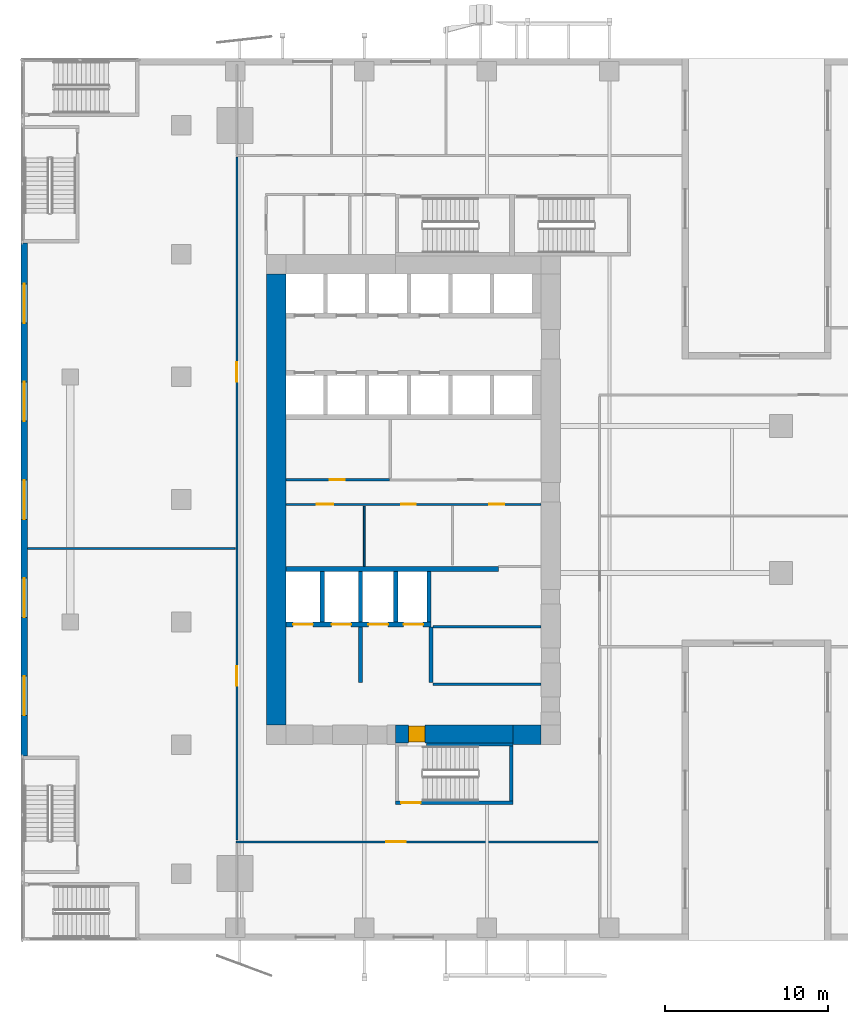
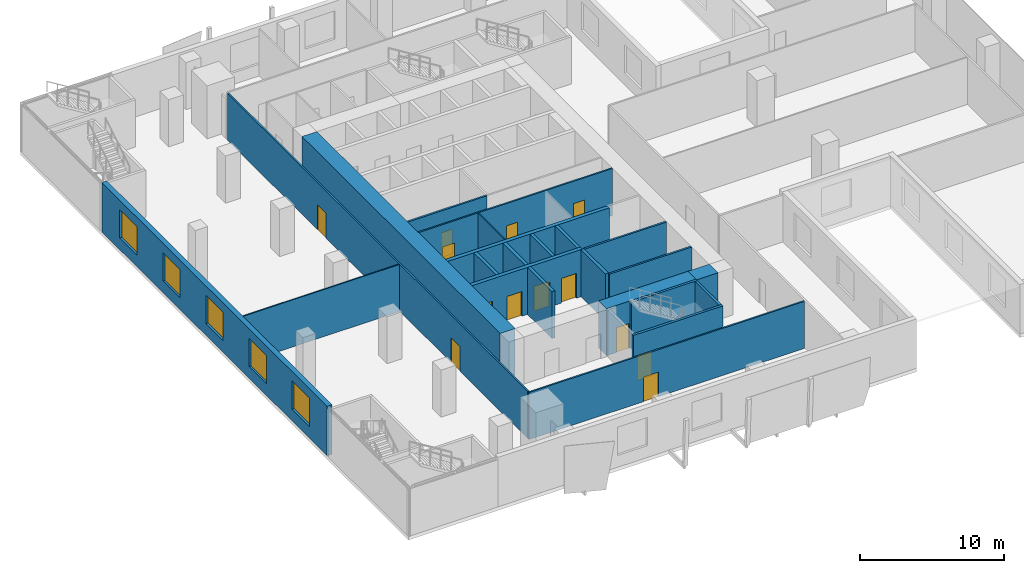
# One storey, part 10 of 21: 23 walls, 13 doors, 5 windows, 18 openings.
"""IFC4 building model written with IfcOpenShell, lengths in metres."""

from ifc_helpers import new_model, si_unit, direction, frame, frame_2d, origin, place, context, subcontext, project, spatial, rectangle, extrude, source, transform, mapped, material, layer, layer_set, type_object, element, fill, save


model = new_model("IFC4")

# Units and contexts
model_context = context("Model", 3, precision=1e-05, world=origin(), true_north=direction((0.0, 1.0)))
body_context = subcontext(model_context, "Body", "Model", "MODEL_VIEW")
ifc_project = project(units=[si_unit("LENGTHUNIT", "METRE"), si_unit("AREAUNIT", "SQUARE_METRE"), si_unit("VOLUMEUNIT", "CUBIC_METRE"), si_unit("PLANEANGLEUNIT", "RADIAN"), si_unit("MASSUNIT", "GRAM", prefix="KILO")], contexts=[model_context])

# Site, building, storey
site_placement = place(None, origin())
site = spatial("IfcSite", under=ifc_project, at=site_placement, CompositionType="ELEMENT")
building_placement = place(site_placement, origin())
building = spatial("IfcBuilding", under=site, at=building_placement, Name="Khomas Fold Tower", CompositionType="ELEMENT")
storey_placement = place(building_placement, frame((0.0, 0.0, 28.5)))
storey = spatial("IfcBuildingStorey", under=building, at=storey_placement, Name="L05", CompositionType="ELEMENT", Elevation=28.5)

# Wall, opening, door
ifc_material_1 = material(Name="Concrete C70/85", Category="concrete")
ifc_layer_1 = layer(ifc_material_1, 1.10009765625)
ifc_layer_set_1 = layer_set([ifc_layer_1], Name="Concrete C70/85")
wall_type_1 = type_object("IfcWallType", Name="Core wall 1100", PredefinedType="SHEAR", material=ifc_layer_set_1)
shared_shape_1 = source(origin(), body_context, "Body", "SweptSolid", [
    extrude(rectangle(XDim=7.2001953125, YDim=1.10009765625, at=frame_2d((3.60009765625, 0.0))), origin(), (0.0, 0.0, 1.0), 4.0),
])
wall_1_placement = place(storey_placement, frame((13.89990234375, 12.64990234375, 0.0), z_axis=(0.0, 0.0, 1.0), x_axis=(1.0, 0.0, 0.0)))
wall_1 = element("IfcWall", 1, at=wall_1_placement, inside=storey, type_object=wall_type_1, Name="Core wall CW-L-S-B2-1", PredefinedType="SHEAR", context=body_context, shape_type="MappedRepresentation", body=[
    mapped(shared_shape_1, transform((0.0, 0.0, 0.0))),
])
shared_shape_2 = source(origin(), body_context, "Body", "SweptSolid", [
    extrude(rectangle(XDim=1.0, YDim=2.10009765625, at=frame_2d((0.5, 1.050048828125))), frame((0.0, 0.56005859375, 0.0), z_axis=(0.0, -1.0, 0.0), x_axis=(1.0, 0.0, 0.0)), (0.0, 0.0, 1.0), 1.1201171875),
])
opening_1_placement = place(wall_1_placement, frame((0.800048828125, 0.0, 0.0)))
opening_1 = element("IfcOpeningElement", 2, at=opening_1_placement, cuts=wall_1, Name="Opening 0010", PredefinedType="OPENING", context=body_context, shape_type="MappedRepresentation", body=[
    mapped(shared_shape_2, transform((0.0, 0.0, 0.0))),
])
ifc_material_2 = material(Name="Steel door leaf", Category="steel")
door_type_1 = type_object("IfcDoorType", Name="Stair door 1000x2100 right-hand", OperationType="SINGLE_SWING_RIGHT", PredefinedType="DOOR", material=ifc_material_2)
shared_shape_3 = source(origin(), body_context, "Body", "SweptSolid", [
    extrude(rectangle(XDim=1.0, YDim=2.10009765625, at=frame_2d((0.5, 1.050048828125))), frame((0.0, 0.5, 0.0), z_axis=(0.0, -1.0, 0.0), x_axis=(1.0, 0.0, 0.0)), (0.0, 0.0, 1.0), 1.0),
])
door_1_placement = place(opening_1_placement, origin())
door_1 = element("IfcDoor", 3, at=door_1_placement, inside=storey, type_object=door_type_1, Name="Stair door", OperationType="SINGLE_SWING_RIGHT", OverallHeight=2.10009765625, OverallWidth=1.0, PredefinedType="DOOR", context=body_context, shape_type="MappedRepresentation", body=[
    mapped(shared_shape_3, transform((0.0, 0.0, 0.0))),
])
fill(opening_1, door_1)

# Walls
ifc_material_3 = material(Name="Concrete C70/85", Category="concrete")
ifc_layer_2 = layer(ifc_material_3, 1.199951171875)
ifc_layer_set_2 = layer_set([ifc_layer_2], Name="Concrete C70/85")
wall_type_2 = type_object("IfcWallType", Name="Core wall 1200", PredefinedType="SHEAR", material=ifc_layer_set_2)
shared_shape_4 = source(origin(), body_context, "Body", "SweptSolid", [
    extrude(rectangle(XDim=1.699951171875, YDim=1.199951171875, at=frame_2d((0.85009765625, 0.0))), origin(), (0.0, 0.0, 1.0), 4.0),
])
wall_2_placement = place(storey_placement, frame((21.10009765625, 12.60009765625, 0.0), z_axis=(0.0, 0.0, 1.0), x_axis=(1.0, 0.0, 0.0)))
element("IfcWall", 4, at=wall_2_placement, inside=storey, type_object=wall_type_2, Name="Core wall CW-L-S-B2-2", PredefinedType="SHEAR", context=body_context, shape_type="MappedRepresentation", body=[
    mapped(shared_shape_4, transform((0.0, 0.0, 0.0))),
])
shared_shape_5 = source(origin(), body_context, "Body", "SweptSolid", [
    extrude(rectangle(XDim=27.60009765625, YDim=1.199951171875, at=frame_2d((13.800048828125, 0.0))), origin(), (0.0, 0.0, 1.0), 4.0),
])
wall_3_placement = place(storey_placement, frame((6.60009765625, 13.199951171875, 0.0), z_axis=(0.0, 0.0, 1.0), x_axis=(0.0, 1.0, 0.0)))
element("IfcWall", 5, at=wall_3_placement, inside=storey, type_object=wall_type_2, Name="Core wall CW-L-W-B2", PredefinedType="SHEAR", context=body_context, shape_type="MappedRepresentation", body=[
    mapped(shared_shape_5, transform((0.0, 0.0, 0.0))),
])
ifc_material_4 = material(Name="Concrete C50/60", Category="concrete")
ifc_layer_3 = layer(ifc_material_4, 0.199951171875)
ifc_layer_set_3 = layer_set([ifc_layer_3], Name="Concrete C50/60")
wall_type_3 = type_object("IfcWallType", Name="Stair wall 200", PredefinedType="SHEAR", material=ifc_layer_set_3)
shared_shape_6 = source(origin(), body_context, "Body", "SweptSolid", [
    extrude(rectangle(XDim=5.300048828125, YDim=0.199951171875, at=frame_2d((2.64990234375, 0.0))), origin(), (0.0, 0.0, 1.0), 4.0),
])
wall_4_placement = place(storey_placement, frame((15.800048828125, 12.0, 0.0), z_axis=(0.0, 0.0, 1.0), x_axis=(1.0, 0.0, 0.0)))
element("IfcWall", 6, at=wall_4_placement, inside=storey, type_object=wall_type_3, Name="Stair wall SW-ST2-NB", PredefinedType="SHEAR", context=body_context, shape_type="MappedRepresentation", body=[
    mapped(shared_shape_6, transform((0.0, 0.0, 0.0))),
])

# Wall, opening, door
shared_shape_7 = source(origin(), body_context, "Body", "SweptSolid", [
    extrude(rectangle(XDim=7.2001953125, YDim=0.199951171875, at=frame_2d((3.60009765625, 0.0))), origin(), (0.0, 0.0, 1.0), 4.0),
])
wall_5_placement = place(storey_placement, frame((13.89990234375, 8.449951171875, 0.0), z_axis=(0.0, 0.0, 1.0), x_axis=(1.0, 0.0, 0.0)))
wall_5 = element("IfcWall", 7, at=wall_5_placement, inside=storey, type_object=wall_type_3, Name="Stair wall SW-ST2-S", PredefinedType="SHEAR", context=body_context, shape_type="MappedRepresentation", body=[
    mapped(shared_shape_7, transform((0.0, 0.0, 0.0))),
])
shared_shape_8 = source(origin(), body_context, "Body", "SweptSolid", [
    extrude(rectangle(XDim=1.199951171875, YDim=2.10009765625, at=frame_2d((0.60009765625, 1.050048828125))), frame((0.0, 0.10986328125, 0.0), z_axis=(0.0, -1.0, 0.0), x_axis=(1.0, 0.0, 0.0)), (0.0, 0.0, 1.0), 0.219970703125),
])
opening_2_placement = place(wall_5_placement, frame((0.35009765625, 0.0, 0.0)))
opening_2 = element("IfcOpeningElement", 8, at=opening_2_placement, cuts=wall_5, Name="Opening SD-ST2", PredefinedType="OPENING", context=body_context, shape_type="MappedRepresentation", body=[
    mapped(shared_shape_8, transform((0.0, 0.0, 0.0))),
])
ifc_material_5 = material(Name="Steel door leaf", Category="steel")
door_type_2 = type_object("IfcDoorType", Name="Stair door 1200x2100 right-hand", OperationType="SINGLE_SWING_RIGHT", PredefinedType="DOOR", material=ifc_material_5)
shared_shape_9 = source(origin(), body_context, "Body", "SweptSolid", [
    extrude(rectangle(XDim=1.199951171875, YDim=2.10009765625, at=frame_2d((0.60009765625, 1.050048828125))), frame((0.0, 0.02490234375, 0.0), z_axis=(0.0, -1.0, 0.0), x_axis=(1.0, 0.0, 0.0)), (0.0, 0.0, 1.0), 0.050048828125),
])
door_2_placement = place(opening_2_placement, origin())
door_2 = element("IfcDoor", 9, at=door_2_placement, inside=storey, type_object=door_type_2, Name="Stair door", OperationType="SINGLE_SWING_RIGHT", OverallHeight=2.10009765625, OverallWidth=1.199951171875, PredefinedType="DOOR", context=body_context, shape_type="MappedRepresentation", body=[
    mapped(shared_shape_9, transform((0.0, 0.0, 0.0))),
])
fill(opening_2, door_2)

# Walls
shared_shape_10 = source(origin(), body_context, "Body", "SweptSolid", [
    extrude(rectangle(XDim=3.349853515625, YDim=0.199951171875, at=frame_2d((1.6748046875, 0.0))), origin(), (0.0, 0.0, 1.0), 4.0),
])
wall_6_placement = place(storey_placement, frame((21.0, 8.550048828125, 0.0), z_axis=(0.0, 0.0, 1.0), x_axis=(0.0, 1.0, 0.0)))
element("IfcWall", 10, at=wall_6_placement, inside=storey, type_object=wall_type_3, Name="Stair wall SW-ST2-E", PredefinedType="SHEAR", context=body_context, shape_type="MappedRepresentation", body=[
    mapped(shared_shape_10, transform((0.0, 0.0, 0.0))),
])
ifc_material_6 = material(Name="Concrete C50/60", Category="concrete")
ifc_layer_4 = layer(ifc_material_6, 0.300048828125)
ifc_layer_set_4 = layer_set([ifc_layer_4], Name="Concrete C50/60")
wall_type_4 = type_object("IfcWallType", Name="Shaft wall 300", PredefinedType="STANDARD", material=ifc_layer_set_4)
shared_shape_11 = source(origin(), body_context, "Body", "SweptSolid", [
    extrude(rectangle(XDim=13.0, YDim=0.300048828125, at=frame_2d((6.5, 0.0))), origin(), (0.0, 0.0, 1.0), 4.0),
])
wall_7_placement = place(storey_placement, frame((7.199951171875, 22.75, 0.0), z_axis=(0.0, 0.0, 1.0), x_axis=(1.0, 0.0, 0.0)))
element("IfcWall", 11, at=wall_7_placement, inside=storey, type_object=wall_type_4, Name="Core wall SW-FS-B", PredefinedType="STANDARD", context=body_context, shape_type="MappedRepresentation", body=[
    mapped(shared_shape_11, transform((0.0, 0.0, 0.0))),
])

# Wall, openings, doors
shared_shape_12 = source(origin(), body_context, "Body", "SweptSolid", [
    extrude(rectangle(XDim=8.875, YDim=0.300048828125, at=frame_2d((4.4375, 0.0))), origin(), (0.0, 0.0, 1.0), 4.0),
])
wall_8_placement = place(storey_placement, frame((7.199951171875, 19.35009765625, 0.0), z_axis=(0.0, 0.0, 1.0), x_axis=(1.0, 0.0, 0.0)))
wall_8 = element("IfcWall", 12, at=wall_8_placement, inside=storey, type_object=wall_type_4, Name="Core wall SW-FS-F", PredefinedType="STANDARD", context=body_context, shape_type="MappedRepresentation", body=[
    mapped(shared_shape_12, transform((0.0, 0.0, 0.0))),
])
shared_shape_13 = source(origin(), body_context, "Body", "SweptSolid", [
    extrude(rectangle(XDim=1.199951171875, YDim=2.10009765625, at=frame_2d((0.60009765625, 1.050048828125))), frame((0.0, 0.159912109375, 0.0), z_axis=(0.0, -1.0, 0.0), x_axis=(1.0, 0.0, 0.0)), (0.0, 0.0, 1.0), 0.320068359375),
])
opening_3_placement = place(wall_8_placement, frame((0.449951171875, 0.0, 0.0)))
opening_3 = element("IfcOpeningElement", 13, at=opening_3_placement, cuts=wall_8, Name="Opening LD-SV1", PredefinedType="OPENING", context=body_context, shape_type="MappedRepresentation", body=[
    mapped(shared_shape_13, transform((0.0, 0.0, 0.0))),
])
opening_4_placement = place(wall_8_placement, frame((2.800048828125, 0.0, 0.0)))
opening_4 = element("IfcOpeningElement", 14, at=opening_4_placement, cuts=wall_8, Name="Opening LD-SV2", PredefinedType="OPENING", context=body_context, shape_type="MappedRepresentation", body=[
    mapped(shared_shape_13, transform((0.0, 0.0, 0.0))),
])
opening_5_placement = place(wall_8_placement, frame((5.050048828125, 0.0, 0.0)))
opening_5 = element("IfcOpeningElement", 15, at=opening_5_placement, cuts=wall_8, Name="Opening LD-FF1", PredefinedType="OPENING", context=body_context, shape_type="MappedRepresentation", body=[
    mapped(shared_shape_13, transform((0.0, 0.0, 0.0))),
])
opening_6_placement = place(wall_8_placement, frame((7.199951171875, 0.0, 0.0)))
opening_6 = element("IfcOpeningElement", 16, at=opening_6_placement, cuts=wall_8, Name="Opening LD-FF2", PredefinedType="OPENING", context=body_context, shape_type="MappedRepresentation", body=[
    mapped(shared_shape_13, transform((0.0, 0.0, 0.0))),
])
ifc_material_7 = material(Name="Steel door leaf", Category="steel")
door_type_3 = type_object("IfcDoorType", Name="Landing door 1200x2100", OperationType="DOUBLE_DOOR_SLIDING", PredefinedType="DOOR", material=ifc_material_7)
door_3_placement = place(opening_3_placement, origin())
door_3 = element("IfcDoor", 17, at=door_3_placement, inside=storey, type_object=door_type_3, Name="Lift landing door", OperationType="DOUBLE_DOOR_SLIDING", OverallHeight=2.10009765625, OverallWidth=1.199951171875, PredefinedType="DOOR", context=body_context, shape_type="MappedRepresentation", body=[
    mapped(shared_shape_9, transform((0.0, 0.0, 0.0))),
])
fill(opening_3, door_3)
door_4_placement = place(opening_4_placement, origin())
door_4 = element("IfcDoor", 18, at=door_4_placement, inside=storey, type_object=door_type_3, Name="Lift landing door", OperationType="DOUBLE_DOOR_SLIDING", OverallHeight=2.10009765625, OverallWidth=1.199951171875, PredefinedType="DOOR", context=body_context, shape_type="MappedRepresentation", body=[
    mapped(shared_shape_9, transform((0.0, 0.0, 0.0))),
])
fill(opening_4, door_4)
door_5_placement = place(opening_5_placement, origin())
door_5 = element("IfcDoor", 19, at=door_5_placement, inside=storey, type_object=door_type_3, Name="Lift landing door", OperationType="DOUBLE_DOOR_SLIDING", OverallHeight=2.10009765625, OverallWidth=1.199951171875, PredefinedType="DOOR", context=body_context, shape_type="MappedRepresentation", body=[
    mapped(shared_shape_9, transform((0.0, 0.0, 0.0))),
])
fill(opening_5, door_5)
door_6_placement = place(opening_6_placement, origin())
door_6 = element("IfcDoor", 20, at=door_6_placement, inside=storey, type_object=door_type_3, Name="Lift landing door", OperationType="DOUBLE_DOOR_SLIDING", OverallHeight=2.10009765625, OverallWidth=1.199951171875, PredefinedType="DOOR", context=body_context, shape_type="MappedRepresentation", body=[
    mapped(shared_shape_9, transform((0.0, 0.0, 0.0))),
])
fill(opening_6, door_6)

# Walls
ifc_material_8 = material(Name="Concrete C50/60", Category="concrete")
ifc_layer_5 = layer(ifc_material_8, 0.25)
ifc_layer_set_5 = layer_set([ifc_layer_5], Name="Concrete C50/60")
wall_type_5 = type_object("IfcWallType", Name="Shaft wall 250", PredefinedType="STANDARD", material=ifc_layer_set_5)
shared_shape_14 = source(origin(), body_context, "Body", "SweptSolid", [
    extrude(rectangle(XDim=3.10009765625, YDim=0.25, at=frame_2d((1.550048828125, 0.0))), origin(), (0.0, 0.0, 1.0), 4.0),
])
for number, where, z_axis, x_axis, name in (
    (21, (9.425048828125, 19.5, 0.0), (0.0, 0.0, 1.0), (0.0, 1.0, 0.0), "Core wall SW-FS-P1"),
    (22, (11.77490234375, 19.5, 0.0), (0.0, 0.0, 1.0), (0.0, 1.0, 0.0), "Core wall SW-FS-P2"),
    (23, (13.925048828125, 19.5, 0.0), (0.0, 0.0, 1.0), (0.0, 1.0, 0.0), "Core wall SW-FS-P3"),
    (24, (15.949951171875, 19.5, 0.0), (0.0, 0.0, 1.0), (0.0, 1.0, 0.0), "Core wall SW-FS-PE"),
):
    element("IfcWall", number, at=place(storey_placement, frame(where, z_axis=z_axis, x_axis=x_axis)), inside=storey, type_object=wall_type_5, Name=name, PredefinedType="STANDARD", context=body_context, shape_type="MappedRepresentation", body=[
        mapped(shared_shape_14, transform((0.0, 0.0, 0.0))),
    ])
ifc_material_9 = material(Name="Concrete C50/60", Category="concrete")
ifc_layer_6 = layer(ifc_material_9, 0.25)
ifc_layer_set_6 = layer_set([ifc_layer_6], Name="Concrete C50/60")
wall_type_6 = type_object("IfcWallType", Name="Lobby wall 250", PredefinedType="STANDARD", material=ifc_layer_set_6)
shared_shape_15 = source(origin(), body_context, "Body", "SweptSolid", [
    extrude(rectangle(XDim=3.39990234375, YDim=0.25, at=frame_2d((1.699951171875, 0.0))), origin(), (0.0, 0.0, 1.0), 4.0),
])
for number, where, z_axis, x_axis, name in (
    (25, (16.074951171875, 15.800048828125, 0.0), (0.0, 0.0, 1.0), (0.0, 1.0, 0.0), "Core wall SW-FS-LOB-E"),
    (26, (11.77490234375, 15.800048828125, 0.0), (0.0, 0.0, 1.0), (0.0, 1.0, 0.0), "Core wall SW-FS-SEP"),
):
    element("IfcWall", number, at=place(storey_placement, frame(where, z_axis=z_axis, x_axis=x_axis)), inside=storey, type_object=wall_type_6, Name=name, PredefinedType="STANDARD", context=body_context, shape_type="MappedRepresentation", body=[
        mapped(shared_shape_15, transform((0.0, 0.0, 0.0))),
    ])

# Wall, openings, windows
ifc_material_10 = material(Name="Concrete C40/50", Category="concrete")
ifc_layer_7 = layer(ifc_material_10, 0.39990234375)
ifc_layer_set_7 = layer_set([ifc_layer_7], Name="Concrete C40/50")
wall_type_7 = type_object("IfcWallType", Name="Stone-clad concrete wall 400", PredefinedType="SOLIDWALL", material=ifc_layer_set_7)
shared_shape_16 = source(origin(), body_context, "Body", "SweptSolid", [
    extrude(rectangle(XDim=31.3798828125, YDim=0.39990234375, at=frame_2d((15.68994140625, 0.0))), origin(), (0.0, 0.0, 1.0), 4.199951171875),
])
wall_9_placement = place(storey_placement, frame((-8.800048828125, 42.68994140625, 0.0), z_axis=(0.0, 0.0, 1.0), x_axis=(0.0, -1.0, 0.0)))
wall_9 = element("IfcWall", 27, at=wall_9_placement, inside=storey, type_object=wall_type_7, Name="Podium wall", PredefinedType="SOLIDWALL", context=body_context, shape_type="MappedRepresentation", body=[
    mapped(shared_shape_16, transform((0.0, 0.0, 0.0))),
])
shared_shape_17 = source(origin(), body_context, "Body", "SweptSolid", [
    extrude(rectangle(XDim=2.39990234375, YDim=2.39990234375, at=frame_2d((1.199951171875, 1.199951171875))), frame((0.0, 0.2099609375, 0.0), z_axis=(0.0, -1.0, 0.0), x_axis=(1.0, 0.0, 0.0)), (0.0, 0.0, 1.0), 0.419921875),
])
opening_7_placement = place(wall_9_placement, frame((2.5, 0.0, 1.0)))
opening_7 = element("IfcOpeningElement", 28, at=opening_7_placement, cuts=wall_9, Name="Opening PD-WN", PredefinedType="OPENING", context=body_context, shape_type="MappedRepresentation", body=[
    mapped(shared_shape_17, transform((0.0, 0.0, 0.0))),
])
opening_8_placement = place(wall_9_placement, frame((8.5, 0.0, 1.0)))
opening_8 = element("IfcOpeningElement", 29, at=opening_8_placement, cuts=wall_9, Name="Opening PD-WN", PredefinedType="OPENING", context=body_context, shape_type="MappedRepresentation", body=[
    mapped(shared_shape_17, transform((0.0, 0.0, 0.0))),
])
opening_9_placement = place(wall_9_placement, frame((14.5, 0.0, 1.0)))
opening_9 = element("IfcOpeningElement", 30, at=opening_9_placement, cuts=wall_9, Name="Opening PD-WN", PredefinedType="OPENING", context=body_context, shape_type="MappedRepresentation", body=[
    mapped(shared_shape_17, transform((0.0, 0.0, 0.0))),
])
opening_10_placement = place(wall_9_placement, frame((20.5, 0.0, 1.0)))
opening_10 = element("IfcOpeningElement", 31, at=opening_10_placement, cuts=wall_9, Name="Opening PD-WN", PredefinedType="OPENING", context=body_context, shape_type="MappedRepresentation", body=[
    mapped(shared_shape_17, transform((0.0, 0.0, 0.0))),
])
opening_11_placement = place(wall_9_placement, frame((26.5, 0.0, 1.0)))
opening_11 = element("IfcOpeningElement", 32, at=opening_11_placement, cuts=wall_9, Name="Opening PD-WN", PredefinedType="OPENING", context=body_context, shape_type="MappedRepresentation", body=[
    mapped(shared_shape_17, transform((0.0, 0.0, 0.0))),
])
ifc_material_11 = material(Name="Aluminium framed double glazing", Category="aluminium")
window_type = type_object("IfcWindowType", Name="Podium window 2400 x 2400", PartitioningType="SINGLE_PANEL", PredefinedType="WINDOW", material=ifc_material_11)
shared_shape_18 = source(origin(), body_context, "Body", "SweptSolid", [
    extrude(rectangle(XDim=2.39990234375, YDim=2.39990234375, at=frame_2d((1.199951171875, 1.199951171875))), frame((0.0, 0.030029296875, 0.0), z_axis=(0.0, -1.0, 0.0), x_axis=(1.0, 0.0, 0.0)), (0.0, 0.0, 1.0), 0.06005859375),
])
window_1_placement = place(opening_7_placement, origin())
window_1 = element("IfcWindow", 33, at=window_1_placement, inside=storey, type_object=window_type, Name="Podium window", OverallHeight=2.39990234375, OverallWidth=2.39990234375, PartitioningType="SINGLE_PANEL", PredefinedType="WINDOW", context=body_context, shape_type="MappedRepresentation", body=[
    mapped(shared_shape_18, transform((0.0, 0.0, 0.0))),
])
fill(opening_7, window_1)
window_2_placement = place(opening_8_placement, origin())
window_2 = element("IfcWindow", 34, at=window_2_placement, inside=storey, type_object=window_type, Name="Podium window", OverallHeight=2.39990234375, OverallWidth=2.39990234375, PartitioningType="SINGLE_PANEL", PredefinedType="WINDOW", context=body_context, shape_type="MappedRepresentation", body=[
    mapped(shared_shape_18, transform((0.0, 0.0, 0.0))),
])
fill(opening_8, window_2)
window_3_placement = place(opening_9_placement, origin())
window_3 = element("IfcWindow", 35, at=window_3_placement, inside=storey, type_object=window_type, Name="Podium window", OverallHeight=2.39990234375, OverallWidth=2.39990234375, PartitioningType="SINGLE_PANEL", PredefinedType="WINDOW", context=body_context, shape_type="MappedRepresentation", body=[
    mapped(shared_shape_18, transform((0.0, 0.0, 0.0))),
])
fill(opening_9, window_3)
window_4_placement = place(opening_10_placement, origin())
window_4 = element("IfcWindow", 36, at=window_4_placement, inside=storey, type_object=window_type, Name="Podium window", OverallHeight=2.39990234375, OverallWidth=2.39990234375, PartitioningType="SINGLE_PANEL", PredefinedType="WINDOW", context=body_context, shape_type="MappedRepresentation", body=[
    mapped(shared_shape_18, transform((0.0, 0.0, 0.0))),
])
fill(opening_10, window_4)
window_5_placement = place(opening_11_placement, origin())
window_5 = element("IfcWindow", 37, at=window_5_placement, inside=storey, type_object=window_type, Name="Podium window", OverallHeight=2.39990234375, OverallWidth=2.39990234375, PartitioningType="SINGLE_PANEL", PredefinedType="WINDOW", context=body_context, shape_type="MappedRepresentation", body=[
    mapped(shared_shape_18, transform((0.0, 0.0, 0.0))),
])
fill(opening_11, window_5)

# Wall, opening, door
ifc_material_12 = material(Name="Plasterboard partition")
ifc_layer_8 = layer(ifc_material_12, 0.125)
ifc_layer_set_8 = layer_set([ifc_layer_8], Name="Plasterboard partition")
wall_type_8 = type_object("IfcWallType", Name="Partition PW2 125", PredefinedType="PARTITIONING", material=ifc_layer_set_8)
shared_shape_19 = source(origin(), body_context, "Body", "SweptSolid", [
    extrude(rectangle(XDim=22.150146484375, YDim=0.125, at=frame_2d((11.0751953125, 0.0))), origin(), (0.0, 0.0, 1.0), 4.0),
])
wall_10_placement = place(storey_placement, frame((4.14990234375, 6.050048828125, 0.0), z_axis=(0.0, 0.0, 1.0), x_axis=(1.0, 0.0, 0.0)))
wall_10 = element("IfcWall", 38, at=wall_10_placement, inside=storey, type_object=wall_type_8, Name="Partition", PredefinedType="PARTITIONING", context=body_context, shape_type="MappedRepresentation", body=[
    mapped(shared_shape_19, transform((0.0, 0.0, 0.0))),
])
shared_shape_20 = source(origin(), body_context, "Body", "SweptSolid", [
    extrude(rectangle(XDim=1.199951171875, YDim=2.10009765625, at=frame_2d((0.60009765625, 1.050048828125))), frame((0.0, 0.072509765625, 0.0), z_axis=(0.0, -1.0, 0.0), x_axis=(1.0, 0.0, 0.0)), (0.0, 0.0, 1.0), 0.14501953125),
])
opening_12_placement = place(wall_10_placement, frame((9.199951171875, 0.0, 0.0)))
opening_12 = element("IfcOpeningElement", 39, at=opening_12_placement, cuts=wall_10, Name="Opening 0013", PredefinedType="OPENING", context=body_context, shape_type="MappedRepresentation", body=[
    mapped(shared_shape_20, transform((0.0, 0.0, 0.0))),
])
ifc_material_13 = material(Name="Timber door leaf", Category="wood")
door_type_4 = type_object("IfcDoorType", Name="Door 1200x2100 left-hand", OperationType="SINGLE_SWING_LEFT", PredefinedType="DOOR", material=ifc_material_13)
door_7_placement = place(opening_12_placement, origin())
door_7 = element("IfcDoor", 40, at=door_7_placement, inside=storey, type_object=door_type_4, Name="Door", OperationType="SINGLE_SWING_LEFT", OverallHeight=2.10009765625, OverallWidth=1.199951171875, PredefinedType="DOOR", context=body_context, shape_type="MappedRepresentation", body=[
    mapped(shared_shape_9, transform((0.0, 0.0, 0.0))),
])
fill(opening_12, door_7)

# Wall, openings, doors
shared_shape_21 = source(origin(), body_context, "Body", "SweptSolid", [
    extrude(rectangle(XDim=41.800048828125, YDim=0.125, at=frame_2d((20.89990234375, 0.0))), origin(), (0.0, 0.0, 1.0), 4.0),
])
wall_11_placement = place(storey_placement, frame((4.199951171875, 6.14990234375, 0.0), z_axis=(0.0, 0.0, 1.0), x_axis=(0.0, 1.0, 0.0)))
wall_11 = element("IfcWall", 41, at=wall_11_placement, inside=storey, type_object=wall_type_8, Name="Partition", PredefinedType="PARTITIONING", context=body_context, shape_type="MappedRepresentation", body=[
    mapped(shared_shape_21, transform((0.0, 0.0, 0.0))),
])
opening_13_placement = place(wall_11_placement, frame((9.449951171875, 0.0, 0.0)))
opening_13 = element("IfcOpeningElement", 42, at=opening_13_placement, cuts=wall_11, Name="Opening 0013", PredefinedType="OPENING", context=body_context, shape_type="MappedRepresentation", body=[
    mapped(shared_shape_20, transform((0.0, 0.0, 0.0))),
])
opening_14_placement = place(wall_11_placement, frame((28.050048828125, 0.0, 0.0)))
opening_14 = element("IfcOpeningElement", 43, at=opening_14_placement, cuts=wall_11, Name="Opening 0001", PredefinedType="OPENING", context=body_context, shape_type="MappedRepresentation", body=[
    mapped(shared_shape_20, transform((0.0, 0.0, 0.0))),
])
door_8_placement = place(opening_13_placement, origin())
door_8 = element("IfcDoor", 44, at=door_8_placement, inside=storey, type_object=door_type_4, Name="Door", OperationType="SINGLE_SWING_LEFT", OverallHeight=2.10009765625, OverallWidth=1.199951171875, PredefinedType="DOOR", context=body_context, shape_type="MappedRepresentation", body=[
    mapped(shared_shape_9, transform((0.0, 0.0, 0.0))),
])
fill(opening_13, door_8)
ifc_material_14 = material(Name="Timber door leaf", Category="wood")
door_type_5 = type_object("IfcDoorType", Name="Door 1200x2100 right-hand", OperationType="SINGLE_SWING_RIGHT", PredefinedType="DOOR", material=ifc_material_14)
door_9_placement = place(opening_14_placement, origin())
door_9 = element("IfcDoor", 45, at=door_9_placement, inside=storey, type_object=door_type_5, Name="Door", OperationType="SINGLE_SWING_RIGHT", OverallHeight=2.10009765625, OverallWidth=1.199951171875, PredefinedType="DOOR", context=body_context, shape_type="MappedRepresentation", body=[
    mapped(shared_shape_9, transform((0.0, 0.0, 0.0))),
])
fill(opening_14, door_9)

# Walls
ifc_material_15 = material(Name="Plasterboard fire partition")
ifc_layer_9 = layer(ifc_material_15, 0.14990234375)
ifc_layer_set_9 = layer_set([ifc_layer_9], Name="Plasterboard fire partition")
wall_type_9 = type_object("IfcWallType", Name="Plant room wall PW3 150", PredefinedType="PARTITIONING", material=ifc_layer_set_9)
shared_shape_22 = source(origin(), body_context, "Body", "SweptSolid", [
    extrude(rectangle(XDim=6.60009765625, YDim=0.14990234375, at=frame_2d((3.300048828125, 0.0))), origin(), (0.0, 0.0, 1.0), 4.0),
])
for number, where, z_axis, x_axis, name in (
    (46, (16.199951171875, 15.699951171875, 0.0), (0.0, 0.0, 1.0), (1.0, 0.0, 0.0), "Plant room wall"),
    (47, (16.199951171875, 19.199951171875, 0.0), (0.0, 0.0, 1.0), (1.0, 0.0, 0.0), "Plant room wall"),
):
    element("IfcWall", number, at=place(storey_placement, frame(where, z_axis=z_axis, x_axis=x_axis)), inside=storey, type_object=wall_type_9, Name=name, PredefinedType="PARTITIONING", context=body_context, shape_type="MappedRepresentation", body=[
        mapped(shared_shape_22, transform((0.0, 0.0, 0.0))),
    ])
ifc_material_16 = material(Name="Plasterboard partition")
ifc_layer_10 = layer(ifc_material_16, 0.10009765625)
ifc_layer_set_10 = layer_set([ifc_layer_10], Name="Plasterboard partition")
wall_type_10 = type_object("IfcWallType", Name="Partition PW1 100", PredefinedType="PARTITIONING", material=ifc_layer_set_10)
shared_shape_23 = source(origin(), body_context, "Body", "SweptSolid", [
    extrude(rectangle(XDim=3.7001953125, YDim=0.10009765625, at=frame_2d((1.85009765625, 0.0))), origin(), (0.0, 0.0, 1.0), 4.0),
])
wall_12_placement = place(storey_placement, frame((12.0, 22.89990234375, 0.0), z_axis=(0.0, 0.0, 1.0), x_axis=(0.0, 1.0, 0.0)))
element("IfcWall", 48, at=wall_12_placement, inside=storey, type_object=wall_type_10, Name="Partition", PredefinedType="PARTITIONING", context=body_context, shape_type="MappedRepresentation", body=[
    mapped(shared_shape_23, transform((0.0, 0.0, 0.0))),
])
shared_shape_24 = source(origin(), body_context, "Body", "SweptSolid", [
    extrude(rectangle(XDim=12.7001953125, YDim=0.10009765625, at=frame_2d((6.35009765625, 0.0))), origin(), (0.0, 0.0, 1.0), 4.0),
])
wall_13_placement = place(storey_placement, frame((-8.60009765625, 24.0, 0.0), z_axis=(0.0, 0.0, 1.0), x_axis=(1.0, 0.0, 0.0)))
element("IfcWall", 49, at=wall_13_placement, inside=storey, type_object=wall_type_10, Name="Partition", PredefinedType="PARTITIONING", context=body_context, shape_type="MappedRepresentation", body=[
    mapped(shared_shape_24, transform((0.0, 0.0, 0.0))),
])

# Wall, openings, doors
shared_shape_25 = source(origin(), body_context, "Body", "SweptSolid", [
    extrude(rectangle(XDim=15.60009765625, YDim=0.125, at=frame_2d((7.800048828125, 0.0))), origin(), (0.0, 0.0, 1.0), 4.0),
])
wall_14_placement = place(storey_placement, frame((7.199951171875, 26.699951171875, 0.0), z_axis=(0.0, 0.0, 1.0), x_axis=(1.0, 0.0, 0.0)))
wall_14 = element("IfcWall", 50, at=wall_14_placement, inside=storey, type_object=wall_type_8, Name="Partition", PredefinedType="PARTITIONING", context=body_context, shape_type="MappedRepresentation", body=[
    mapped(shared_shape_25, transform((0.0, 0.0, 0.0))),
])
shared_shape_26 = source(origin(), body_context, "Body", "SweptSolid", [
    extrude(rectangle(XDim=1.0, YDim=2.10009765625, at=frame_2d((0.5, 1.050048828125))), frame((0.0, 0.072509765625, 0.0), z_axis=(0.0, -1.0, 0.0), x_axis=(1.0, 0.0, 0.0)), (0.0, 0.0, 1.0), 0.14501953125),
])
opening_15_placement = place(wall_14_placement, frame((1.89990234375, 0.0, 0.0)))
opening_15 = element("IfcOpeningElement", 51, at=opening_15_placement, cuts=wall_14, Name="Opening 0014", PredefinedType="OPENING", context=body_context, shape_type="MappedRepresentation", body=[
    mapped(shared_shape_26, transform((0.0, 0.0, 0.0))),
])
shared_shape_27 = source(origin(), body_context, "Body", "SweptSolid", [
    extrude(rectangle(XDim=0.89990234375, YDim=2.10009765625, at=frame_2d((0.449951171875, 1.050048828125))), frame((0.0, 0.072509765625, 0.0), z_axis=(0.0, -1.0, 0.0), x_axis=(1.0, 0.0, 0.0)), (0.0, 0.0, 1.0), 0.14501953125),
])
opening_16_placement = place(wall_14_placement, frame((7.050048828125, 0.0, 0.0)))
opening_16 = element("IfcOpeningElement", 52, at=opening_16_placement, cuts=wall_14, Name="Opening 0004", PredefinedType="OPENING", context=body_context, shape_type="MappedRepresentation", body=[
    mapped(shared_shape_27, transform((0.0, 0.0, 0.0))),
])
opening_17_placement = place(wall_14_placement, frame((12.449951171875, 0.0, 0.0)))
opening_17 = element("IfcOpeningElement", 53, at=opening_17_placement, cuts=wall_14, Name="Opening 0005", PredefinedType="OPENING", context=body_context, shape_type="MappedRepresentation", body=[
    mapped(shared_shape_27, transform((0.0, 0.0, 0.0))),
])
ifc_material_17 = material(Name="Timber door leaf", Category="wood")
door_type_6 = type_object("IfcDoorType", Name="WC door 900x2100 right-hand", OperationType="SINGLE_SWING_RIGHT", PredefinedType="DOOR", material=ifc_material_17)
shared_shape_28 = source(origin(), body_context, "Body", "SweptSolid", [
    extrude(rectangle(XDim=0.89990234375, YDim=2.10009765625, at=frame_2d((0.449951171875, 1.050048828125))), frame((0.0, 0.02490234375, 0.0), z_axis=(0.0, -1.0, 0.0), x_axis=(1.0, 0.0, 0.0)), (0.0, 0.0, 1.0), 0.050048828125),
])
door_10_placement = place(opening_16_placement, origin())
door_10 = element("IfcDoor", 54, at=door_10_placement, inside=storey, type_object=door_type_6, Name="WC door", OperationType="SINGLE_SWING_RIGHT", OverallHeight=2.10009765625, OverallWidth=0.89990234375, PredefinedType="DOOR", context=body_context, shape_type="MappedRepresentation", body=[
    mapped(shared_shape_28, transform((0.0, 0.0, 0.0))),
])
fill(opening_16, door_10)
ifc_material_18 = material(Name="Timber door leaf", Category="wood")
door_type_7 = type_object("IfcDoorType", Name="WC door 900x2100 left-hand", OperationType="SINGLE_SWING_LEFT", PredefinedType="DOOR", material=ifc_material_18)
door_11_placement = place(opening_17_placement, origin())
door_11 = element("IfcDoor", 55, at=door_11_placement, inside=storey, type_object=door_type_7, Name="WC door", OperationType="SINGLE_SWING_LEFT", OverallHeight=2.10009765625, OverallWidth=0.89990234375, PredefinedType="DOOR", context=body_context, shape_type="MappedRepresentation", body=[
    mapped(shared_shape_28, transform((0.0, 0.0, 0.0))),
])
fill(opening_17, door_11)
ifc_material_19 = material(Name="Timber door leaf", Category="wood")
door_type_8 = type_object("IfcDoorType", Name="WC door 1000x2100 left-hand", OperationType="SINGLE_SWING_LEFT", PredefinedType="DOOR", material=ifc_material_19)
shared_shape_29 = source(origin(), body_context, "Body", "SweptSolid", [
    extrude(rectangle(XDim=1.0, YDim=2.10009765625, at=frame_2d((0.5, 1.050048828125))), frame((0.0, 0.02490234375, 0.0), z_axis=(0.0, -1.0, 0.0), x_axis=(1.0, 0.0, 0.0)), (0.0, 0.0, 1.0), 0.050048828125),
])
door_12_placement = place(opening_15_placement, origin())
door_12 = element("IfcDoor", 56, at=door_12_placement, inside=storey, type_object=door_type_8, Name="WC door", OperationType="SINGLE_SWING_LEFT", OverallHeight=2.10009765625, OverallWidth=1.0, PredefinedType="DOOR", context=body_context, shape_type="MappedRepresentation", body=[
    mapped(shared_shape_29, transform((0.0, 0.0, 0.0))),
])
fill(opening_15, door_12)

# Wall, opening, door
shared_shape_30 = source(origin(), body_context, "Body", "SweptSolid", [
    extrude(rectangle(XDim=6.35009765625, YDim=0.14990234375, at=frame_2d((3.175048828125, 0.0))), origin(), (0.0, 0.0, 1.0), 4.0),
])
wall_15_placement = place(storey_placement, frame((7.199951171875, 28.199951171875, 0.0), z_axis=(0.0, 0.0, 1.0), x_axis=(1.0, 0.0, 0.0)))
wall_15 = element("IfcWall", 57, at=wall_15_placement, inside=storey, type_object=wall_type_9, Name="Plant room wall", PredefinedType="PARTITIONING", context=body_context, shape_type="MappedRepresentation", body=[
    mapped(shared_shape_30, transform((0.0, 0.0, 0.0))),
])
shared_shape_31 = source(origin(), body_context, "Body", "SweptSolid", [
    extrude(rectangle(XDim=0.89990234375, YDim=2.10009765625, at=frame_2d((0.449951171875, 1.050048828125))), frame((0.0, 0.0849609375, 0.0), z_axis=(0.0, -1.0, 0.0), x_axis=(1.0, 0.0, 0.0)), (0.0, 0.0, 1.0), 0.169921875),
])
opening_18_placement = place(wall_15_placement, frame((2.699951171875, 0.0, 0.0)))
opening_18 = element("IfcOpeningElement", 58, at=opening_18_placement, cuts=wall_15, Name="Opening 0003", PredefinedType="OPENING", context=body_context, shape_type="MappedRepresentation", body=[
    mapped(shared_shape_31, transform((0.0, 0.0, 0.0))),
])
ifc_material_20 = material(Name="Steel door leaf", Category="steel")
door_type_9 = type_object("IfcDoorType", Name="Plant room door 900x2100 right-hand", OperationType="SINGLE_SWING_RIGHT", PredefinedType="DOOR", material=ifc_material_20)
door_13_placement = place(opening_18_placement, origin())
door_13 = element("IfcDoor", 59, at=door_13_placement, inside=storey, type_object=door_type_9, Name="Plant room door", OperationType="SINGLE_SWING_RIGHT", OverallHeight=2.10009765625, OverallWidth=0.89990234375, PredefinedType="DOOR", context=body_context, shape_type="MappedRepresentation", body=[
    mapped(shared_shape_28, transform((0.0, 0.0, 0.0))),
])
fill(opening_18, door_13)

save(model, "model.ifc")
